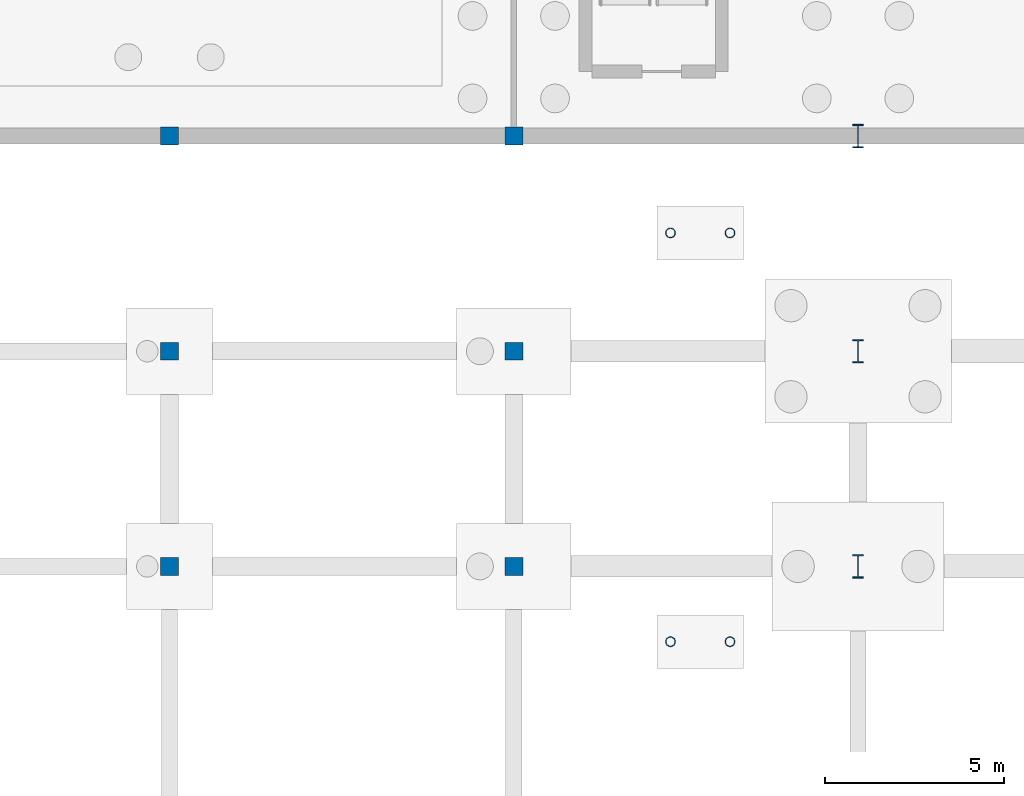
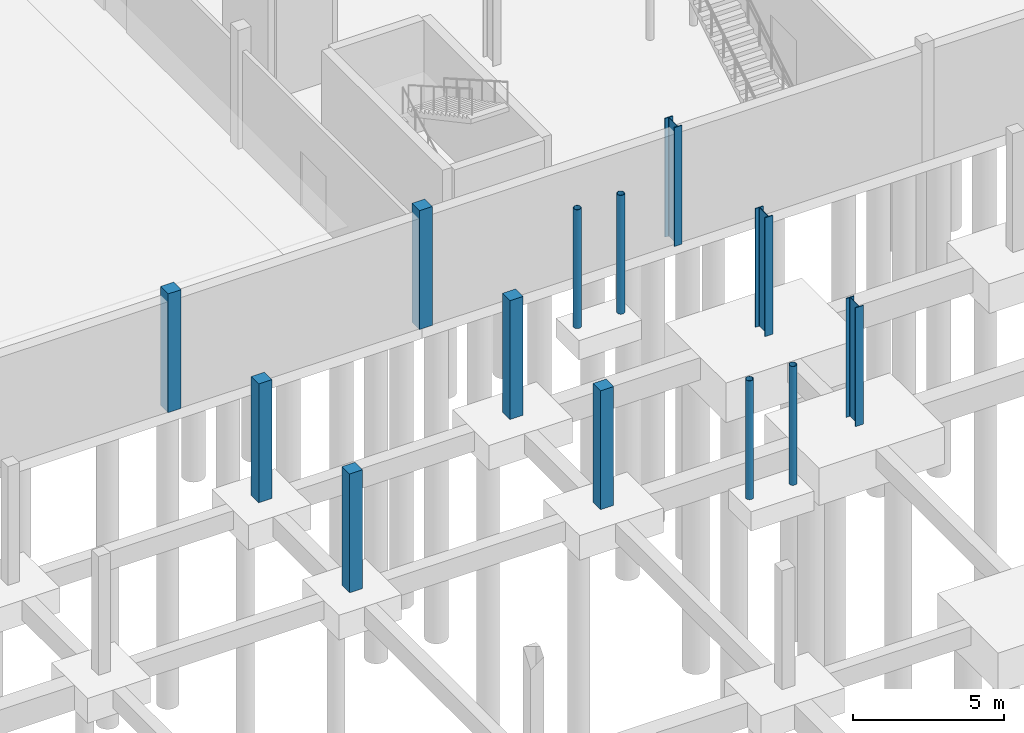
# One storey, part 10 of 31: 13 columns.
"""IFC4 building model written with IfcOpenShell, lengths in metres."""

from ifc_helpers import new_model, si_unit, direction, frame, origin, origin_2d, place, context, subcontext, project, spatial, rectangle, hollow_circle, i_section, extrude, material, material_profile, profile_set, type_object, element, save


model = new_model("IFC4")

# Units and contexts
model_context = context("Model", 3, precision=1e-05, world=origin(), true_north=direction((0.0, 1.0)))
body_context = subcontext(model_context, "Body", "Model", "MODEL_VIEW")
ifc_project = project(units=[si_unit("LENGTHUNIT", "METRE"), si_unit("AREAUNIT", "SQUARE_METRE"), si_unit("VOLUMEUNIT", "CUBIC_METRE"), si_unit("PLANEANGLEUNIT", "RADIAN"), si_unit("MASSUNIT", "GRAM", prefix="KILO")], contexts=[model_context])

# Site, building, storey
site_placement = place(None, origin())
site = spatial("IfcSite", under=ifc_project, at=site_placement, CompositionType="ELEMENT")
building_placement = place(site_placement, origin())
building = spatial("IfcBuilding", under=site, at=building_placement, Name="Merenkruunu Market Hall", CompositionType="ELEMENT")
storey_placement = place(building_placement, frame((0.0, 0.0, -4.800048828125)))
storey = spatial("IfcBuildingStorey", under=building, at=storey_placement, Name="B1", CompositionType="ELEMENT", Elevation=-4.800048828125)

# Columns
ifc_material_1 = material(Name="Steel S355ML", Category="steel")
ifc_material_profile_1 = material_profile(ifc_material_1, i_section(OverallWidth=0.300048828125, OverallDepth=0.64990234375, WebThickness=0.01611328125, FlangeThickness=0.031005859375, FilletRadius=0.027099609375, at=origin_2d()), Name="HEB 650")
ifc_profile_set_1 = profile_set([ifc_material_profile_1], Name="Steel S355ML")
column_type_1 = type_object("IfcColumnType", Name="Structural Column C01", PredefinedType="COLUMN", material=ifc_profile_set_1)
for number, where, z_axis, x_axis, name in (
    (1, (57.60009765625, 39.60009765625, 0.0), (0.0, 0.0, 1.0), (1.0, 0.0, 0.0), "COL-B1-G-05"),
    (2, (57.60009765625, 45.60009765625, 0.0), (0.0, 0.0, 1.0), (1.0, 0.0, 0.0), "COL-B1-G-06"),
    (3, (57.60009765625, 51.60009765625, 0.0), (0.0, 0.0, 1.0), (1.0, 0.0, 0.0), "COL-B1-G-07"),
):
    element("IfcColumn", number, at=place(storey_placement, frame(where, z_axis=z_axis, x_axis=x_axis)), inside=storey, type_object=column_type_1, Name=name, PredefinedType="COLUMN", context=body_context, shape_type="SweptSolid", body=[
        extrude(i_section(OverallWidth=0.300048828125, OverallDepth=0.64990234375, WebThickness=0.01611328125, FlangeThickness=0.031005859375, FilletRadius=0.027099609375, at=origin_2d()), origin(), (0.0, 0.0, 1.0), 4.800048828125),
    ])
ifc_material_profile_2 = material_profile(ifc_material_1, hollow_circle(Radius=0.136474609375, WallThickness=0.012451171875, at=origin_2d()), Name="CHS 273x12.5")
ifc_profile_set_2 = profile_set([ifc_material_profile_2], Name="Steel S355ML")
column_type_2 = type_object("IfcColumnType", Name="Structural Column C14", PredefinedType="COLUMN", material=ifc_profile_set_2)
for number, where, z_axis, x_axis, name in (
    (4, (52.3701171875, 37.5, 0.0), (0.0, 0.0, 1.0), (1.0, 0.0, 0.0), "COL-FST-3-1-B1"),
    (5, (54.030029296875, 37.5, 0.0), (0.0, 0.0, 1.0), (1.0, 0.0, 0.0), "COL-FST-3-2-B1"),
    (6, (52.3701171875, 48.89990234375, 0.0), (0.0, 0.0, 1.0), (1.0, 0.0, 0.0), "COL-FST-5-1-B1"),
    (7, (54.030029296875, 48.89990234375, 0.0), (0.0, 0.0, 1.0), (1.0, 0.0, 0.0), "COL-FST-5-2-B1"),
):
    element("IfcColumn", number, at=place(storey_placement, frame(where, z_axis=z_axis, x_axis=x_axis)), inside=storey, type_object=column_type_2, Name=name, PredefinedType="COLUMN", context=body_context, shape_type="SweptSolid", body=[
        extrude(hollow_circle(Radius=0.136474609375, WallThickness=0.012451171875, at=origin_2d()), origin(), (0.0, 0.0, 1.0), 4.800048828125),
    ])
ifc_material_2 = material(Name="Concrete C35/45", Category="concrete")
ifc_material_profile_3 = material_profile(ifc_material_2, rectangle(XDim=0.5, YDim=0.5, at=origin_2d()), Name="RC 500x500")
ifc_profile_set_3 = profile_set([ifc_material_profile_3], Name="Concrete C35/45")
column_type_3 = type_object("IfcColumnType", Name="Structural Column C18", PredefinedType="COLUMN", material=ifc_profile_set_3)
for number, where, z_axis, x_axis, name in (
    (8, (38.39990234375, 39.60009765625, 0.0), (0.0, 0.0, 1.0), (1.0, 0.0, 0.0), "COL-B1-E-05"),
    (9, (38.39990234375, 45.60009765625, 0.0), (0.0, 0.0, 1.0), (1.0, 0.0, 0.0), "COL-B1-E-06"),
    (10, (38.39990234375, 51.60009765625, 0.0), (0.0, 0.0, 1.0), (1.0, 0.0, 0.0), "COL-B1-E-07"),
    (11, (48.0, 39.60009765625, 0.0), (0.0, 0.0, 1.0), (1.0, 0.0, 0.0), "COL-B1-F-05"),
    (12, (48.0, 45.60009765625, 0.0), (0.0, 0.0, 1.0), (1.0, 0.0, 0.0), "COL-B1-F-06"),
    (13, (48.0, 51.60009765625, 0.0), (0.0, 0.0, 1.0), (1.0, 0.0, 0.0), "COL-B1-F-07"),
):
    element("IfcColumn", number, at=place(storey_placement, frame(where, z_axis=z_axis, x_axis=x_axis)), inside=storey, type_object=column_type_3, Name=name, PredefinedType="COLUMN", context=body_context, shape_type="SweptSolid", body=[
        extrude(rectangle(XDim=0.5, YDim=0.5, at=origin_2d()), origin(), (0.0, 0.0, 1.0), 4.800048828125),
    ])

save(model, "model.ifc")
